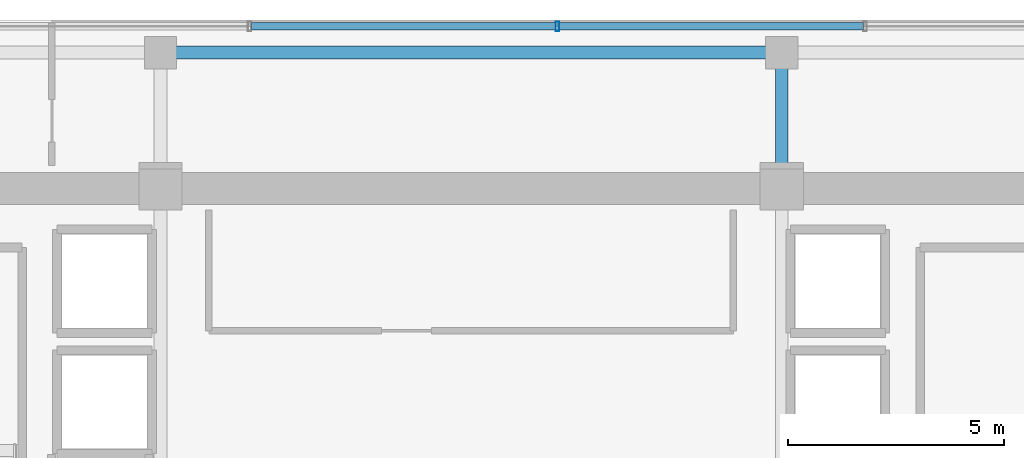
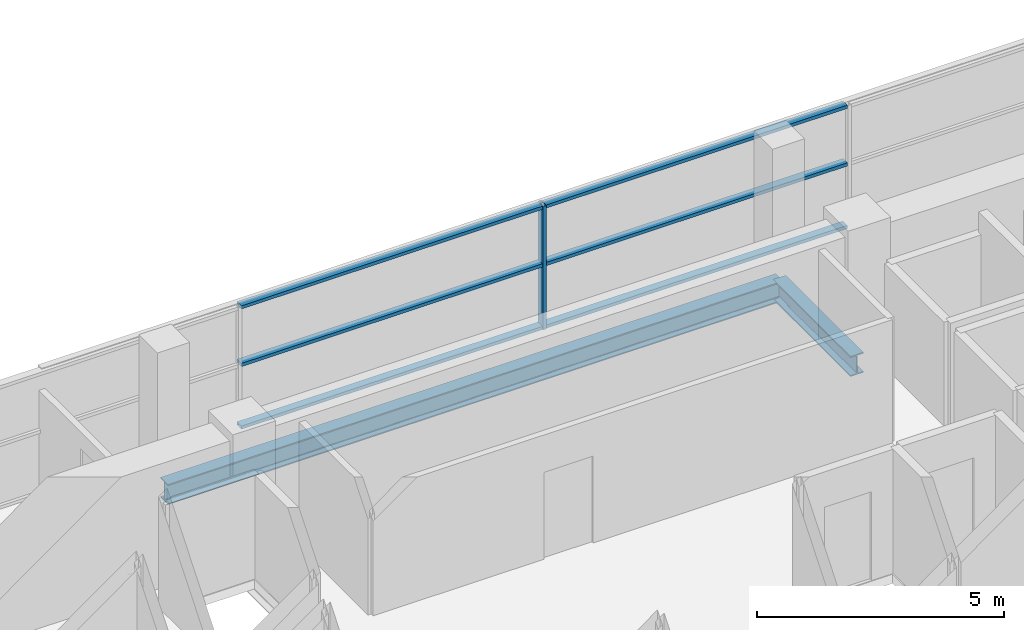
# One storey, part 11 of 21: 7 members, 2 beams, 1 element without a shape of its own.
"""IFC4 building model written with IfcOpenShell, lengths in metres."""

from ifc_helpers import new_model, si_unit, direction, frame, origin, origin_2d, place, context, subcontext, project, spatial, hollow_rectangle, i_section, extrude, source, transform, mapped, material, layer, layer_set, material_profile, profile_set, type_object, element, aggregate, save


model = new_model("IFC4")

# Units and contexts
model_context = context("Model", 3, precision=1e-05, world=origin(), true_north=direction((0.0, 1.0)))
body_context = subcontext(model_context, "Body", "Model", "MODEL_VIEW")
ifc_project = project(units=[si_unit("LENGTHUNIT", "METRE"), si_unit("AREAUNIT", "SQUARE_METRE"), si_unit("VOLUMEUNIT", "CUBIC_METRE"), si_unit("PLANEANGLEUNIT", "RADIAN"), si_unit("MASSUNIT", "GRAM", prefix="KILO")], contexts=[model_context])

# Site, building, storey
site_placement = place(None, origin())
site = spatial("IfcSite", under=ifc_project, at=site_placement, CompositionType="ELEMENT")
building_placement = place(site_placement, origin())
building = spatial("IfcBuilding", under=site, at=building_placement, Name="Zarnakvel Exchange Tower", CompositionType="ELEMENT")
storey_placement = place(building_placement, frame((0.0, 0.0, 185.800048828125)))
storey = spatial("IfcBuildingStorey", under=building, at=storey_placement, Name="L52", CompositionType="ELEMENT", Elevation=185.800048828125)

# Beams
ifc_material_1 = material(Name="Steel S355", Category="steel")
ifc_material_profile_1 = material_profile(ifc_material_1, i_section(OverallWidth=0.300048828125, OverallDepth=0.5, WebThickness=0.014404296875, FlangeThickness=0.028076171875, FilletRadius=0.027099609375, at=origin_2d()))
ifc_profile_set_1 = profile_set([ifc_material_profile_1], Name="Steel S355")
beam_type_1 = type_object("IfcBeamType", Name="G-06", PredefinedType="BEAM", material=ifc_profile_set_1)
beam_1_placement = place(storey_placement, frame((7.199951171875, 13.5, -0.47509765625), z_axis=(0.0, 1.0, 0.0), x_axis=(-1.0, 0.0, 0.0)))
element("IfcBeam", 1, at=beam_1_placement, inside=storey, type_object=beam_type_1, Name="L52 Tower N-S Frame Beam", PredefinedType="BEAM", context=body_context, shape_type="SweptSolid", body=[
    extrude(i_section(OverallWidth=0.300048828125, OverallDepth=0.5, WebThickness=0.014404296875, FlangeThickness=0.028076171875, FilletRadius=0.027099609375, at=origin_2d()), origin(), (0.0, 0.0, 1.0), 3.14990234375),
])
ifc_material_profile_2 = material_profile(ifc_material_1, i_section(OverallWidth=0.300048828125, OverallDepth=0.5, WebThickness=0.014404296875, FlangeThickness=0.028076171875, FilletRadius=0.027099609375, at=origin_2d()))
ifc_profile_set_2 = profile_set([ifc_material_profile_2], Name="Steel S355")
beam_type_2 = type_object("IfcBeamType", Name="SP-02", PredefinedType="SPANDREL", material=ifc_profile_set_2)
beam_2_placement = place(storey_placement, frame((-7.199951171875, 16.64990234375, -0.47509765625), z_axis=(1.0, 0.0, 0.0), x_axis=(0.0, 1.0, 0.0)))
element("IfcBeam", 2, at=beam_2_placement, inside=storey, type_object=beam_type_2, Name="L52 Tower E-W Frame Beam", PredefinedType="SPANDREL", context=body_context, shape_type="SweptSolid", body=[
    extrude(i_section(OverallWidth=0.300048828125, OverallDepth=0.5, WebThickness=0.014404296875, FlangeThickness=0.028076171875, FilletRadius=0.027099609375, at=origin_2d()), origin(), (0.0, 0.0, 1.0), 14.39990234375),
])

# Curtain wall, members
ifc_material_2 = material(Name="Architectural Bronze Anodised Aluminium", Category="aluminium")
ifc_layer = layer(ifc_material_2, 0.219970703125)
ifc_layer_set = layer_set([ifc_layer], Name="Architectural Bronze Anodised Aluminium")
curtain_wall_type = type_object("IfcCurtainWallType", Name="CW-03", PredefinedType="NOTDEFINED", material=ifc_layer_set)
curtain_wall_placement = place(storey_placement, origin())
curtain_wall = element("IfcCurtainWall", 3, at=curtain_wall_placement, inside=storey, type_object=curtain_wall_type, Name="L52 Curtain Wall CW-L52-N1 (CW-03)", PredefinedType="NOTDEFINED")
ifc_material_profile_3 = material_profile(ifc_material_2, hollow_rectangle(XDim=0.219970703125, YDim=0.080078125, WallThickness=0.0048828125, at=origin_2d()))
ifc_profile_set_3 = profile_set([ifc_material_profile_3], Name="Architectural Bronze Anodised Aluminium")
member_type_1 = type_object("IfcMemberType", Name="CWM-03", PredefinedType="MULLION", material=ifc_profile_set_3)
shared_shape_1 = source(origin(), body_context, "Body", "SweptSolid", [
    extrude(hollow_rectangle(XDim=0.219970703125, YDim=0.080078125, WallThickness=0.0048828125, at=origin_2d()), origin(), (0.0, 0.0, 1.0), 3.054931640625),
])
member_1_placement = place(storey_placement, frame((2.0, 17.260009765625, 0.0), z_axis=(0.0, 0.0, 1.0), x_axis=(0.0, 1.0, 0.0)))
member_1 = element("IfcMember", 4, at=member_1_placement, type_object=member_type_1, Name="CW-03 mullion 4", PredefinedType="MULLION", context=body_context, shape_type="MappedRepresentation", body=[
    mapped(shared_shape_1, transform((0.0, 0.0, 0.0), x_axis=(1.0, 0.0, 0.0), y_axis=(0.0, 1.0, 0.0), z_axis=(0.0, 0.0, 1.0), scale=1.0)),
])
ifc_material_profile_4 = material_profile(ifc_material_2, hollow_rectangle(XDim=0.179931640625, YDim=0.080078125, WallThickness=0.00390625, at=origin_2d()))
ifc_profile_set_4 = profile_set([ifc_material_profile_4], Name="Architectural Bronze Anodised Aluminium")
member_type_2 = type_object("IfcMemberType", Name="CWT-03", PredefinedType="USERDEFINED", material=ifc_profile_set_4)
shared_shape_2 = source(origin(), body_context, "Body", "SweptSolid", [
    extrude(hollow_rectangle(XDim=0.179931640625, YDim=0.080078125, WallThickness=0.00390625, at=origin_2d()), origin(), (0.0, 0.0, 1.0), 7.05322265625),
])
member_2_placement = place(storey_placement, frame((-5.09326171875, 17.260009765625, 0.0400390625), z_axis=(1.0, 0.0, 0.0), x_axis=(0.0, 1.0, 0.0)))
member_2 = element("IfcMember", 5, at=member_2_placement, type_object=member_type_2, Name="CW-03 transom 3.1", ObjectType="TRANSOM", PredefinedType="USERDEFINED", context=body_context, shape_type="MappedRepresentation", body=[
    mapped(shared_shape_2, transform((0.0, 0.0, 0.0), x_axis=(1.0, 0.0, 0.0), y_axis=(0.0, 1.0, 0.0), z_axis=(0.0, 0.0, 1.0), scale=1.0)),
])
member_3_placement = place(storey_placement, frame((-5.09326171875, 17.260009765625, 1.588623046875), z_axis=(1.0, 0.0, 0.0), x_axis=(0.0, 1.0, 0.0)))
member_3 = element("IfcMember", 6, at=member_3_placement, type_object=member_type_2, Name="CW-03 transom 3.2", ObjectType="TRANSOM", PredefinedType="USERDEFINED", context=body_context, shape_type="MappedRepresentation", body=[
    mapped(shared_shape_2, transform((0.0, 0.0, 0.0), x_axis=(1.0, 0.0, 0.0), y_axis=(0.0, 1.0, 0.0), z_axis=(0.0, 0.0, 1.0), scale=1.0)),
])
member_4_placement = place(storey_placement, frame((-5.09326171875, 17.260009765625, 3.014892578125), z_axis=(1.0, 0.0, 0.0), x_axis=(0.0, 1.0, 0.0)))
member_4 = element("IfcMember", 7, at=member_4_placement, type_object=member_type_2, Name="CW-03 transom 3.3", ObjectType="TRANSOM", PredefinedType="USERDEFINED", context=body_context, shape_type="MappedRepresentation", body=[
    mapped(shared_shape_2, transform((0.0, 0.0, 0.0), x_axis=(1.0, 0.0, 0.0), y_axis=(0.0, 1.0, 0.0), z_axis=(0.0, 0.0, 1.0), scale=1.0)),
])
member_5_placement = place(storey_placement, frame((2.0400390625, 17.260009765625, 0.0400390625), z_axis=(1.0, 0.0, 0.0), x_axis=(0.0, 1.0, 0.0)))
member_5 = element("IfcMember", 8, at=member_5_placement, type_object=member_type_2, Name="CW-03 transom 4.1", ObjectType="TRANSOM", PredefinedType="USERDEFINED", context=body_context, shape_type="MappedRepresentation", body=[
    mapped(shared_shape_2, transform((0.0, 0.0, 0.0), x_axis=(1.0, 0.0, 0.0), y_axis=(0.0, 1.0, 0.0), z_axis=(0.0, 0.0, 1.0), scale=1.0)),
])
member_6_placement = place(storey_placement, frame((2.0400390625, 17.260009765625, 1.588623046875), z_axis=(1.0, 0.0, 0.0), x_axis=(0.0, 1.0, 0.0)))
member_6 = element("IfcMember", 9, at=member_6_placement, type_object=member_type_2, Name="CW-03 transom 4.2", ObjectType="TRANSOM", PredefinedType="USERDEFINED", context=body_context, shape_type="MappedRepresentation", body=[
    mapped(shared_shape_2, transform((0.0, 0.0, 0.0), x_axis=(1.0, 0.0, 0.0), y_axis=(0.0, 1.0, 0.0), z_axis=(0.0, 0.0, 1.0), scale=1.0)),
])
member_7_placement = place(storey_placement, frame((2.0400390625, 17.260009765625, 3.014892578125), z_axis=(1.0, 0.0, 0.0), x_axis=(0.0, 1.0, 0.0)))
member_7 = element("IfcMember", 10, at=member_7_placement, type_object=member_type_2, Name="CW-03 transom 4.3", ObjectType="TRANSOM", PredefinedType="USERDEFINED", context=body_context, shape_type="MappedRepresentation", body=[
    mapped(shared_shape_2, transform((0.0, 0.0, 0.0), x_axis=(1.0, 0.0, 0.0), y_axis=(0.0, 1.0, 0.0), z_axis=(0.0, 0.0, 1.0), scale=1.0)),
])
aggregate(curtain_wall, [member_1, member_2, member_3, member_4, member_5, member_6, member_7])

save(model, "model.ifc")
